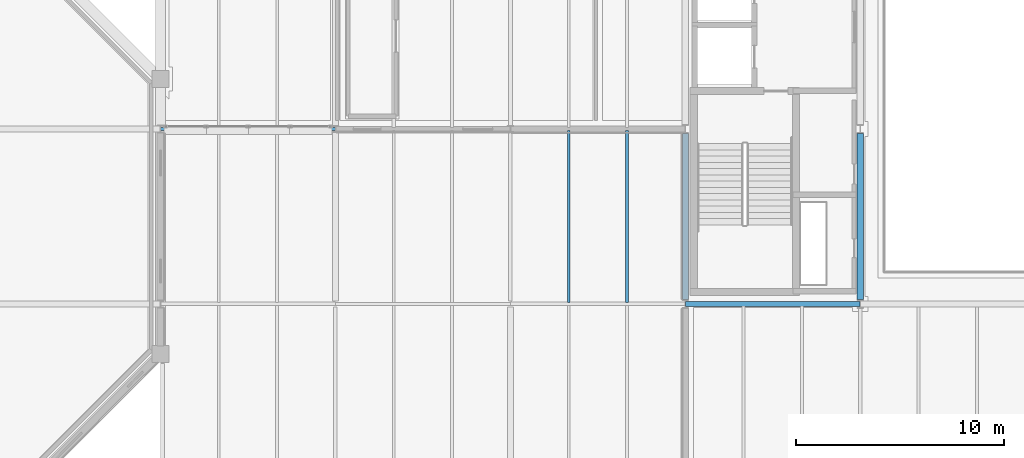
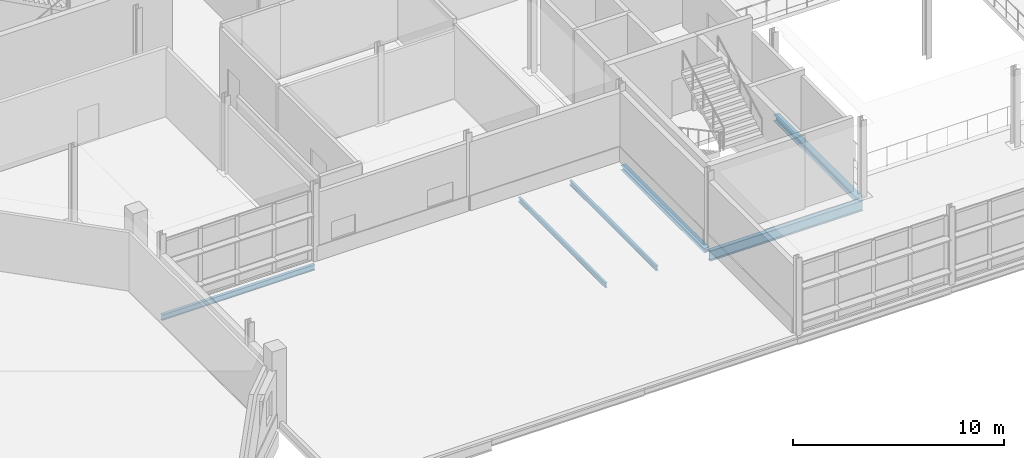
# One storey, part 26 of 129: 6 beams.
"""IFC4 building model written with IfcOpenShell, lengths in metres."""

from ifc_helpers import new_model, si_unit, direction, frame, origin, origin_2d, place, context, subcontext, project, spatial, i_section, extrude, material, material_profile, profile_set, type_object, element, save


model = new_model("IFC4")

# Units and contexts
model_context = context("Model", 3, precision=1e-05, world=origin(), true_north=direction((0.0, 1.0)))
body_context = subcontext(model_context, "Body", "Model", "MODEL_VIEW")
ifc_project = project(units=[si_unit("LENGTHUNIT", "METRE"), si_unit("AREAUNIT", "SQUARE_METRE"), si_unit("VOLUMEUNIT", "CUBIC_METRE"), si_unit("PLANEANGLEUNIT", "RADIAN"), si_unit("MASSUNIT", "GRAM", prefix="KILO")], contexts=[model_context])

# Site, building, storey
site_placement = place(None, origin())
site = spatial("IfcSite", under=ifc_project, at=site_placement, CompositionType="ELEMENT")
building_placement = place(site_placement, origin())
building = spatial("IfcBuilding", under=site, at=building_placement, Name="Mersafa Astral City Hall", CompositionType="ELEMENT")
storey_placement = place(building_placement, frame((0.0, 0.0, 5.39990234375)))
storey = spatial("IfcBuildingStorey", under=building, at=storey_placement, Name="L01", CompositionType="ELEMENT", Elevation=5.39990234375)

# Beams
ifc_material = material(Name="Steel S355", Category="steel")
ifc_material_profile_1 = material_profile(ifc_material, i_section(OverallWidth=0.300048828125, OverallDepth=0.35009765625, WebThickness=0.010009765625, FlangeThickness=0.017578125, FilletRadius=0.027099609375, at=origin_2d()), Name="HEA 360")
ifc_profile_set_1 = profile_set([ifc_material_profile_1], Name="Steel S355")
beam_type_1 = type_object("IfcBeamType", Name="STR-BM-HEA360", PredefinedType="BEAM", material=ifc_profile_set_1)
beam_1_placement = place(storey_placement, frame((126.0, 8.6201171875, -0.39990234375), z_axis=(0.0, 1.0, 0.0), x_axis=(-1.0, 0.0, 0.0)))
element("IfcBeam", 1, at=beam_1_placement, inside=storey, type_object=beam_type_1, Name="L01 Primary girder Y 15-1", PredefinedType="BEAM", context=body_context, shape_type="SweptSolid", body=[
    extrude(i_section(OverallWidth=0.300048828125, OverallDepth=0.35009765625, WebThickness=0.010009765625, FlangeThickness=0.017578125, FilletRadius=0.027099609375, at=origin_2d()), origin(), (0.0, 0.0, 1.0), 7.9599609375),
])
ifc_material_profile_2 = material_profile(ifc_material, i_section(OverallWidth=0.219970703125, OverallDepth=0.60009765625, WebThickness=0.011962890625, FlangeThickness=0.01904296875, FilletRadius=0.02392578125, at=origin_2d()), Name="IPE 600")
ifc_profile_set_2 = profile_set([ifc_material_profile_2], Name="Steel S355")
beam_type_2 = type_object("IfcBeamType", Name="STR-BM-IPE600", PredefinedType="BEAM", material=ifc_profile_set_2)
beam_2_placement = place(storey_placement, frame((117.60302734375, 8.39990234375, -0.52490234375), z_axis=(1.0, 0.0, 0.0), x_axis=(0.0, 1.0, 0.0)))
element("IfcBeam", 2, at=beam_2_placement, inside=storey, type_object=beam_type_2, Name="L01 Primary girder X 14-1", PredefinedType="BEAM", context=body_context, shape_type="SweptSolid", body=[
    extrude(i_section(OverallWidth=0.219970703125, OverallDepth=0.60009765625, WebThickness=0.011962890625, FlangeThickness=0.01904296875, FilletRadius=0.02392578125, at=origin_2d()), origin(), (0.0, 0.0, 1.0), 8.39404296875),
])
ifc_material_profile_3 = material_profile(ifc_material, i_section(OverallWidth=0.135009765625, OverallDepth=0.27001953125, WebThickness=0.006591796875, FlangeThickness=0.01025390625, FilletRadius=0.014892578125, at=origin_2d()), Name="IPE 270")
ifc_profile_set_3 = profile_set([ifc_material_profile_3], Name="Steel S355")
beam_type_3 = type_object("IfcBeamType", Name="STR-BM-JOIST-IPE270", PredefinedType="JOIST", material=ifc_profile_set_3)
for number, where, z_axis, x_axis, name in (
    (3, (112.0, 8.47998046875, -0.35986328125), (0.0, 1.0, 0.0), (-1.0, 0.0, 0.0), "L01 Flat roof secondary joist 37"),
    (4, (114.800048828125, 8.47998046875, -0.35986328125), (0.0, 1.0, 0.0), (-1.0, 0.0, 0.0), "L01 Flat roof secondary joist 38"),
):
    element("IfcBeam", number, at=place(storey_placement, frame(where, z_axis=z_axis, x_axis=x_axis)), inside=storey, type_object=beam_type_3, Name=name, PredefinedType="JOIST", context=body_context, shape_type="SweptSolid", body=[
        extrude(i_section(OverallWidth=0.135009765625, OverallDepth=0.27001953125, WebThickness=0.006591796875, FlangeThickness=0.01025390625, FilletRadius=0.014892578125, at=origin_2d()), origin(), (0.0, 0.0, 1.0), 8.2451171875),
    ])
ifc_material_profile_4 = material_profile(ifc_material, i_section(OverallWidth=0.280029296875, OverallDepth=0.27001953125, WebThickness=0.008056640625, FlangeThickness=0.012939453125, FilletRadius=0.02392578125, at=origin_2d()), Name="HEA 280")
ifc_profile_set_4 = profile_set([ifc_material_profile_4], Name="Steel S355")
beam_type_4 = type_object("IfcBeamType", Name="STR-BM-SPANDREL-HEA280", PredefinedType="SPANDREL", material=ifc_profile_set_4)
beam_3_placement = place(storey_placement, frame((117.60009765625, 8.6201171875, -0.35986328125), z_axis=(0.0, 1.0, 0.0), x_axis=(-1.0, 0.0, 0.0)))
element("IfcBeam", 5, at=beam_3_placement, inside=storey, type_object=beam_type_4, Name="L01 Primary girder Y 14-1", PredefinedType="SPANDREL", context=body_context, shape_type="SweptSolid", body=[
    extrude(i_section(OverallWidth=0.280029296875, OverallDepth=0.27001953125, WebThickness=0.008056640625, FlangeThickness=0.012939453125, FilletRadius=0.02392578125, at=origin_2d()), origin(), (0.0, 0.0, 1.0), 7.9599609375),
])
ifc_material_profile_5 = material_profile(ifc_material, i_section(OverallWidth=0.159912109375, OverallDepth=0.330078125, WebThickness=0.007568359375, FlangeThickness=0.011474609375, FilletRadius=0.01806640625, at=origin_2d()), Name="IPE 330")
ifc_profile_set_5 = profile_set([ifc_material_profile_5], Name="Steel S355")
beam_type_5 = type_object("IfcBeamType", Name="STR-BM-SPANDREL-IPE330", PredefinedType="SPANDREL", material=ifc_profile_set_5)
beam_4_placement = place(storey_placement, frame((92.403076171875, 16.800048828125, -0.389892578125), z_axis=(1.0, 0.0, 0.0), x_axis=(0.0, 1.0, 0.0)))
element("IfcBeam", 6, at=beam_4_placement, inside=storey, type_object=beam_type_5, Name="L01 Primary girder X 11-2", PredefinedType="SPANDREL", context=body_context, shape_type="SweptSolid", body=[
    extrude(i_section(OverallWidth=0.159912109375, OverallDepth=0.330078125, WebThickness=0.007568359375, FlangeThickness=0.011474609375, FilletRadius=0.01806640625, at=origin_2d()), origin(), (0.0, 0.0, 1.0), 8.39404296875),
])

save(model, "model.ifc")
